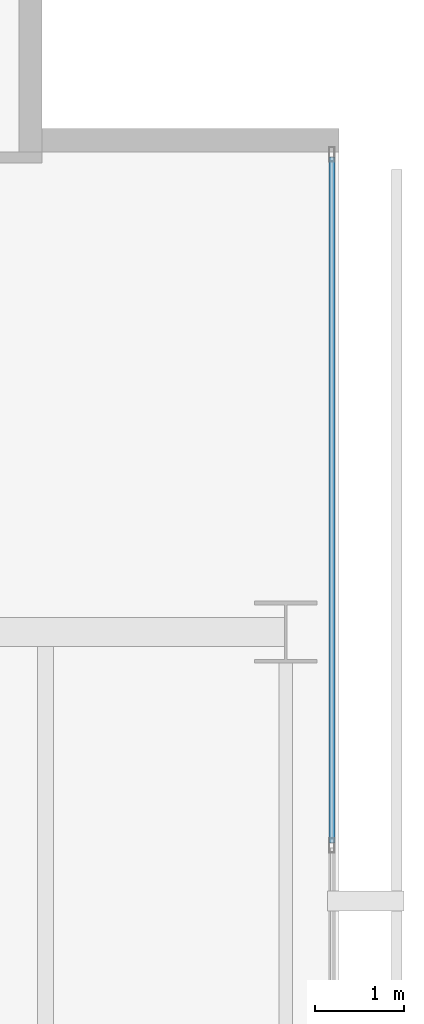
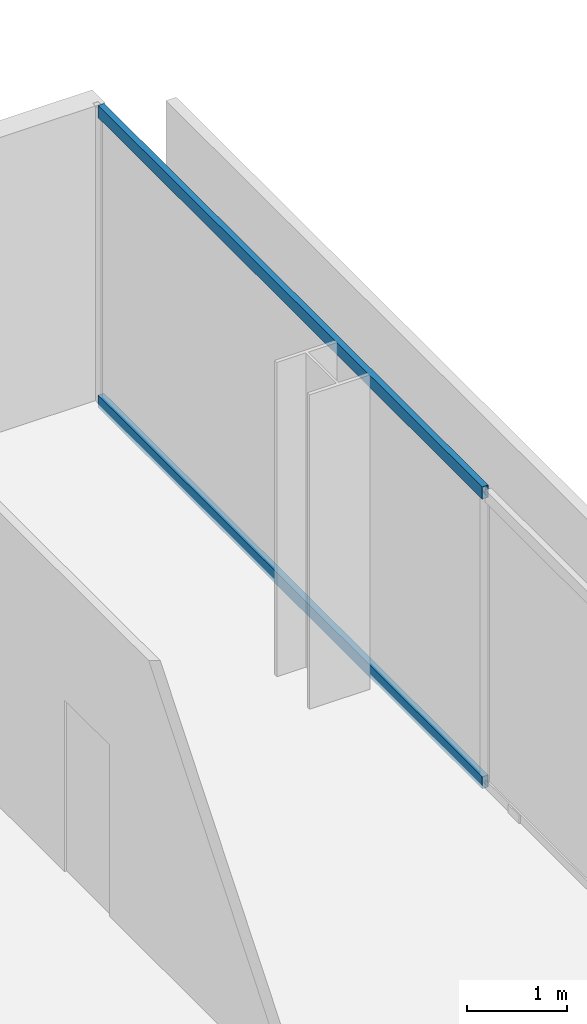
# One storey, part 29 of 39: 2 members, 1 element without a shape of its own.
"""IFC4 building model written with IfcOpenShell, lengths in metres."""

from ifc_helpers import new_model, si_unit, direction, frame, origin, origin_2d, place, context, subcontext, project, spatial, hollow_rectangle, extrude, material, layer, layer_set, material_profile, profile_set, type_object, element, aggregate, save


model = new_model("IFC4")

# Units and contexts
model_context = context("Model", 3, precision=1e-05, world=origin(), true_north=direction((0.0, 1.0)))
body_context = subcontext(model_context, "Body", "Model", "MODEL_VIEW")
ifc_project = project(units=[si_unit("LENGTHUNIT", "METRE"), si_unit("AREAUNIT", "SQUARE_METRE"), si_unit("VOLUMEUNIT", "CUBIC_METRE"), si_unit("PLANEANGLEUNIT", "RADIAN"), si_unit("MASSUNIT", "GRAM", prefix="KILO")], contexts=[model_context])

# Site, building, storey
site_placement = place(None, origin())
site = spatial("IfcSite", under=ifc_project, at=site_placement, CompositionType="ELEMENT")
building_placement = place(site_placement, origin())
building = spatial("IfcBuilding", under=site, at=building_placement, Name="Maruvema Waterfront Hotel and Observation Tower", CompositionType="ELEMENT")
storey_placement = place(building_placement, frame((0.0, 0.0, 69.300048828125)))
storey = spatial("IfcBuildingStorey", under=building, at=storey_placement, Name="L16", CompositionType="ELEMENT", Elevation=69.300048828125)

# Curtain wall, members
ifc_material_1 = material(Name="Anodised bronze aluminium and solar-control low-E IGU", Category="aluminium")
ifc_layer = layer(ifc_material_1, 0.159912109375, Name="Zone 1 Bronze Inner Thermal Curtain Wall System CW-02")
ifc_layer_set = layer_set([ifc_layer], Name="Anodised bronze aluminium and solar-control low-E IGU")
curtain_wall_type = type_object("IfcCurtainWallType", Name="Zone 1 Bronze Inner Thermal Curtain Wall System CW-02", PredefinedType="USERDEFINED", material=ifc_layer_set)
curtain_wall_placement = place(storey_placement, origin())
curtain_wall = element("IfcCurtainWall", 1, at=curtain_wall_placement, inside=storey, type_object=curtain_wall_type, Name="L16 Curtain Wall CW-L16-E", ObjectType="UNITISED CURTAIN WALL", PredefinedType="USERDEFINED")
ifc_material_2 = material(Name="Anodised architectural bronze aluminium", Category="aluminium")
ifc_material_profile = material_profile(ifc_material_2, hollow_rectangle(XDim=0.070068359375, YDim=0.14990234375, WallThickness=0.00390625, at=origin_2d()), Name="ALU-T70x150")
ifc_profile_set = profile_set([ifc_material_profile], Name="Anodised architectural bronze aluminium")
member_type = type_object("IfcMemberType", Name="Curtain Wall Horizontal Transom ALU-T70x150", PredefinedType="USERDEFINED", material=ifc_profile_set)
member_1_placement = place(storey_placement, frame((64.719970703125, 42.6298828125, 0.030029296875), z_axis=(0.0, 1.0, 0.0), x_axis=(-1.0, 0.0, 0.0)))
member_1 = element("IfcMember", 2, at=member_1_placement, type_object=member_type, Name="CW-02 transom 6.1", ObjectType="TRANSOM", PredefinedType="USERDEFINED", context=body_context, shape_type="SweptSolid", body=[
    extrude(hollow_rectangle(XDim=0.070068359375, YDim=0.14990234375, WallThickness=0.00390625, at=origin_2d()), origin(), (0.0, 0.0, 1.0), 7.710205078125),
])
member_2_placement = place(storey_placement, frame((64.719970703125, 42.6298828125, 3.579833984375), z_axis=(0.0, 1.0, 0.0), x_axis=(-1.0, 0.0, 0.0)))
member_2 = element("IfcMember", 3, at=member_2_placement, type_object=member_type, Name="CW-02 transom 6.2", ObjectType="TRANSOM", PredefinedType="USERDEFINED", context=body_context, shape_type="SweptSolid", body=[
    extrude(hollow_rectangle(XDim=0.070068359375, YDim=0.14990234375, WallThickness=0.00390625, at=origin_2d()), origin(), (0.0, 0.0, 1.0), 7.710205078125),
])
aggregate(curtain_wall, [member_1, member_2])

save(model, "model.ifc")
